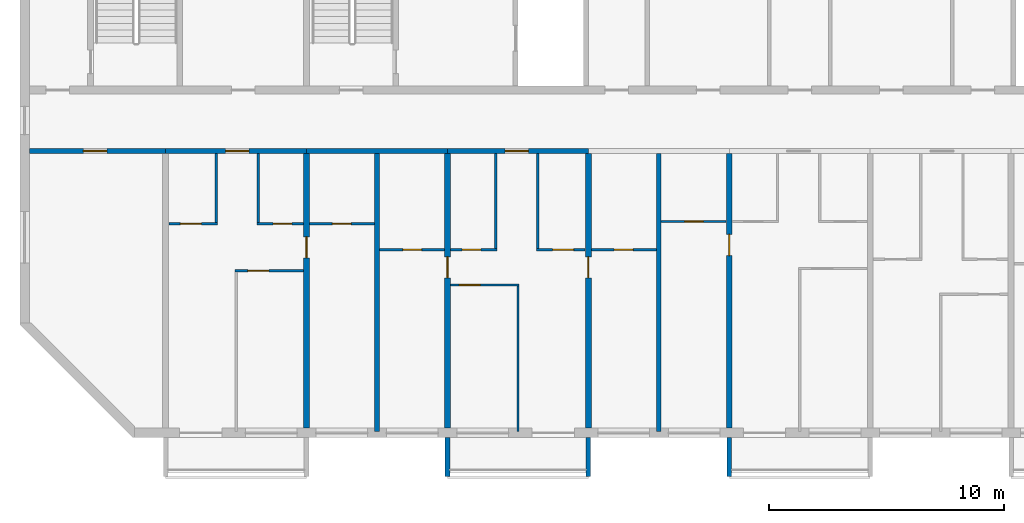
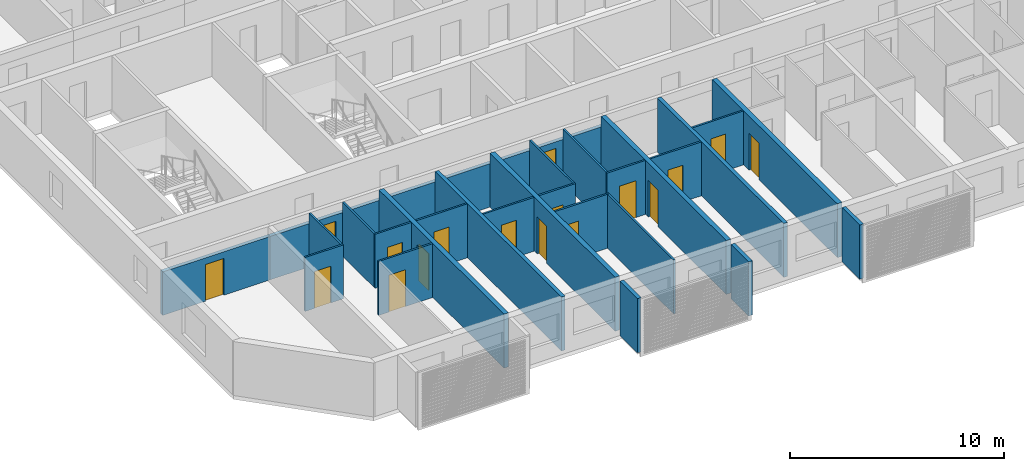
# One storey, part 2 of 29: 28 walls, 17 doors, 17 openings.
"""IFC4 building model written with IfcOpenShell, lengths in metres."""

from ifc_helpers import new_model, si_unit, direction, frame, frame_2d, origin, place, context, subcontext, project, spatial, polyline, rectangle, outline, extrude, source, transform, mapped, material, layer, layer_set, type_object, element, fill, save


model = new_model("IFC4")

# Units and contexts
model_context = context("Model", 3, precision=1e-05, world=origin(), true_north=direction((0.0, 1.0)))
body_context = subcontext(model_context, "Body", "Model", "MODEL_VIEW")
ifc_project = project(units=[si_unit("LENGTHUNIT", "METRE"), si_unit("AREAUNIT", "SQUARE_METRE"), si_unit("VOLUMEUNIT", "CUBIC_METRE"), si_unit("PLANEANGLEUNIT", "RADIAN"), si_unit("MASSUNIT", "GRAM", prefix="KILO")], contexts=[model_context])

# Site, building, storey
site_placement = place(None, origin())
site = spatial("IfcSite", under=ifc_project, at=site_placement, CompositionType="ELEMENT")
building_placement = place(site_placement, origin())
building = spatial("IfcBuilding", under=site, at=building_placement, Name="Poui Terraces", CompositionType="ELEMENT")
storey_placement = place(building_placement, frame((0.0, 0.0, 234.60009765625)))
storey = spatial("IfcBuildingStorey", under=building, at=storey_placement, Name="L65", CompositionType="ELEMENT", Elevation=234.60009765625)

# Wall, opening, door
ifc_material_1 = material(Name="Concrete 50 MPa", Category="concrete")
ifc_layer_1 = layer(ifc_material_1, 0.199951171875)
ifc_layer_set_1 = layer_set([ifc_layer_1], Name="Concrete 50 MPa")
wall_type_1 = type_object("IfcWallType", Name="CORRIDOR WALL 200 50MPa", PredefinedType="SHEAR", material=ifc_layer_set_1)
wall_1_placement = place(storey_placement, frame((18.199951171875, 12.0, 0.0), z_axis=(0.0, 0.0, 1.0), x_axis=(1.0, 0.0, 0.0)))
wall_1 = element("IfcWall", 1, at=wall_1_placement, inside=storey, type_object=wall_type_1, Name="CORRIDOR WALL LINE B BAY 1", PredefinedType="SHEAR", context=body_context, shape_type="SweptSolid", body=[
    extrude(rectangle(XDim=5.800048828125, YDim=0.199951171875, at=frame_2d((2.89990234375, 0.0))), origin(), (0.0, 0.0, 1.0), 2.47998046875),
])
opening_1_placement = place(wall_1_placement, frame((2.300048828125, 0.0, 0.0)))
opening_1 = element("IfcOpeningElement", 2, at=opening_1_placement, cuts=wall_1, Name="Opening D100", PredefinedType="OPENING", context=body_context, shape_type="SweptSolid", body=[
    extrude(rectangle(XDim=1.0, YDim=2.10009765625, at=frame_2d((0.5, 1.050048828125))), frame((0.0, 0.10986328125, 0.0), z_axis=(0.0, -1.0, 0.0), x_axis=(1.0, 0.0, 0.0)), (0.0, 0.0, 1.0), 0.219970703125),
])
ifc_material_2 = material(Name="Solid core timber door", Category="wood")
door_type_1 = type_object("IfcDoorType", Name="ACCESSIBLE INTERNAL DOOR 1000 X 2100", OperationType="NOTDEFINED", PredefinedType="DOOR", material=ifc_material_2)
door_1_placement = place(opening_1_placement, frame((1.0, 0.0, 0.0), z_axis=(0.0, 0.0, 1.0), x_axis=(-1.0, 0.0, 0.0)))
door_1 = element("IfcDoor", 3, at=door_1_placement, inside=storey, type_object=door_type_1, Name="ACCESSIBLE INTERNAL DOOR 063", OperationType="SINGLE_SWING_RIGHT", OverallHeight=2.10009765625, OverallWidth=1.0, PredefinedType="DOOR", context=body_context, shape_type="SweptSolid", body=[
    extrude(rectangle(XDim=1.0, YDim=2.10009765625, at=frame_2d((0.5, 1.050048828125))), frame((0.0, 0.02490234375, 0.0), z_axis=(0.0, -1.0, 0.0), x_axis=(1.0, 0.0, 0.0)), (0.0, 0.0, 1.0), 0.050048828125),
])
fill(opening_1, door_1)

wall_2_placement = place(storey_placement, frame((24.0, 12.0, 0.0), z_axis=(0.0, 0.0, 1.0), x_axis=(1.0, 0.0, 0.0)))
wall_2 = element("IfcWall", 4, at=wall_2_placement, inside=storey, type_object=wall_type_1, Name="CORRIDOR WALL LINE B BAY 2", PredefinedType="SHEAR", context=body_context, shape_type="SweptSolid", body=[
    extrude(rectangle(XDim=6.0, YDim=0.199951171875, at=frame_2d((3.0, 0.0))), origin(), (0.0, 0.0, 1.0), 2.47998046875),
])
opening_2_placement = place(wall_2_placement, frame((2.550048828125, 0.0, 0.0)))
opening_2 = element("IfcOpeningElement", 5, at=opening_2_placement, cuts=wall_2, Name="Opening FD30S", PredefinedType="OPENING", context=body_context, shape_type="SweptSolid", body=[
    extrude(rectangle(XDim=1.0, YDim=2.10009765625, at=frame_2d((0.5, 1.050048828125))), frame((0.0, 0.10986328125, 0.0), z_axis=(0.0, -1.0, 0.0), x_axis=(1.0, 0.0, 0.0)), (0.0, 0.0, 1.0), 0.219970703125),
])
ifc_material_3 = material(Name="Steel fire door", Category="steel")
door_type_2 = type_object("IfcDoorType", Name="FLAT ENTRANCE DOOR 1000 X 2100", OperationType="NOTDEFINED", PredefinedType="DOOR", material=ifc_material_3)
door_2_placement = place(opening_2_placement, frame((1.0, 0.0, 0.0), z_axis=(0.0, 0.0, 1.0), x_axis=(-1.0, 0.0, 0.0)))
door_2 = element("IfcDoor", 6, at=door_2_placement, inside=storey, type_object=door_type_2, Name="FLAT ENTRANCE DOOR 066", OperationType="SINGLE_SWING_LEFT", OverallHeight=2.10009765625, OverallWidth=1.0, PredefinedType="DOOR", context=body_context, shape_type="SweptSolid", body=[
    extrude(rectangle(XDim=1.0, YDim=2.10009765625, at=frame_2d((0.5, 1.050048828125))), frame((0.0, 0.02490234375, 0.0), z_axis=(0.0, -1.0, 0.0), x_axis=(1.0, 0.0, 0.0)), (0.0, 0.0, 1.0), 0.050048828125),
])
fill(opening_2, door_2)

# Wall
wall_3_placement = place(storey_placement, frame((30.0, 12.0, 0.0), z_axis=(0.0, 0.0, 1.0), x_axis=(1.0, 0.0, 0.0)))
element("IfcWall", 7, at=wall_3_placement, inside=storey, type_object=wall_type_1, Name="CORRIDOR WALL LINE B BAY 3", PredefinedType="SHEAR", context=body_context, shape_type="SweptSolid", body=[
    extrude(rectangle(XDim=6.0, YDim=0.199951171875, at=frame_2d((3.0, 0.0))), origin(), (0.0, 0.0, 1.0), 2.47998046875),
])

# Wall, opening, door
wall_4_placement = place(storey_placement, frame((36.0, 12.0, 0.0), z_axis=(0.0, 0.0, 1.0), x_axis=(1.0, 0.0, 0.0)))
wall_4 = element("IfcWall", 8, at=wall_4_placement, inside=storey, type_object=wall_type_1, Name="CORRIDOR WALL LINE B BAY 4", PredefinedType="SHEAR", context=body_context, shape_type="SweptSolid", body=[
    extrude(rectangle(XDim=6.0, YDim=0.199951171875, at=frame_2d((3.0, 0.0))), origin(), (0.0, 0.0, 1.0), 2.47998046875),
])
opening_3_placement = place(wall_4_placement, frame((2.449951171875, 0.0, 0.0)))
opening_3 = element("IfcOpeningElement", 9, at=opening_3_placement, cuts=wall_4, Name="Opening FD30S", PredefinedType="OPENING", context=body_context, shape_type="SweptSolid", body=[
    extrude(rectangle(XDim=1.0, YDim=2.10009765625, at=frame_2d((0.5, 1.050048828125))), frame((0.0, 0.10986328125, 0.0), z_axis=(0.0, -1.0, 0.0), x_axis=(1.0, 0.0, 0.0)), (0.0, 0.0, 1.0), 0.219970703125),
])
door_3_placement = place(opening_3_placement, frame((1.0, 0.0, 0.0), z_axis=(0.0, 0.0, 1.0), x_axis=(-1.0, 0.0, 0.0)))
door_3 = element("IfcDoor", 10, at=door_3_placement, inside=storey, type_object=door_type_2, Name="FLAT ENTRANCE DOOR 075", OperationType="SINGLE_SWING_RIGHT", OverallHeight=2.10009765625, OverallWidth=1.0, PredefinedType="DOOR", context=body_context, shape_type="SweptSolid", body=[
    extrude(rectangle(XDim=1.0, YDim=2.10009765625, at=frame_2d((0.5, 1.050048828125))), frame((0.0, 0.02490234375, 0.0), z_axis=(0.0, -1.0, 0.0), x_axis=(1.0, 0.0, 0.0)), (0.0, 0.0, 1.0), 0.050048828125),
])
fill(opening_3, door_3)

ifc_layer_2 = layer(ifc_material_1, 0.25)
ifc_layer_set_2 = layer_set([ifc_layer_2], Name="Concrete 50 MPa")
wall_type_2 = type_object("IfcWallType", Name="CROSS WALL 250 50MPa", PredefinedType="SHEAR", material=ifc_layer_set_2)
wall_5_placement = place(storey_placement, frame((30.0, 0.199951171875, 0.0), z_axis=(0.0, 0.0, 1.0), x_axis=(0.0, 1.0, 0.0)))
wall_5 = element("IfcWall", 11, at=wall_5_placement, inside=storey, type_object=wall_type_2, Name="CROSS WALL LINE 6 SOUTH", PredefinedType="SHEAR", context=body_context, shape_type="SweptSolid", body=[
    extrude(rectangle(XDim=11.699951171875, YDim=0.25, at=frame_2d((5.85009765625, 0.0))), origin(), (0.0, 0.0, 1.0), 3.079833984375),
])
opening_4_placement = place(wall_5_placement, frame((7.25, 0.0, 0.0)))
opening_4 = element("IfcOpeningElement", 12, at=opening_4_placement, cuts=wall_5, Name="Opening D90", PredefinedType="OPENING", context=body_context, shape_type="SweptSolid", body=[
    extrude(rectangle(XDim=0.89990234375, YDim=2.10009765625, at=frame_2d((0.449951171875, 1.050048828125))), frame((0.0, 0.135009765625, 0.0), z_axis=(0.0, -1.0, 0.0), x_axis=(1.0, 0.0, 0.0)), (0.0, 0.0, 1.0), 0.27001953125),
])
door_type_3 = type_object("IfcDoorType", Name="INTERNAL DOOR 900 X 2100", OperationType="NOTDEFINED", PredefinedType="DOOR", material=ifc_material_2)
door_4_placement = place(opening_4_placement, frame((0.89990234375, 0.0, 0.0), z_axis=(0.0, 0.0, 1.0), x_axis=(-1.0, 0.0, 0.0)))
door_4 = element("IfcDoor", 13, at=door_4_placement, inside=storey, type_object=door_type_3, Name="INTERNAL DOOR 069", OperationType="SINGLE_SWING_LEFT", OverallHeight=2.10009765625, OverallWidth=0.89990234375, PredefinedType="DOOR", context=body_context, shape_type="SweptSolid", body=[
    extrude(rectangle(XDim=0.89990234375, YDim=2.10009765625, at=frame_2d((0.449951171875, 1.050048828125))), frame((0.0, 0.02490234375, 0.0), z_axis=(0.0, -1.0, 0.0), x_axis=(1.0, 0.0, 0.0)), (0.0, 0.0, 1.0), 0.050048828125),
])
fill(opening_4, door_4)

wall_6_placement = place(storey_placement, frame((36.0, 0.199951171875, 0.0), z_axis=(0.0, 0.0, 1.0), x_axis=(0.0, 1.0, 0.0)))
wall_6 = element("IfcWall", 14, at=wall_6_placement, inside=storey, type_object=wall_type_2, Name="CROSS WALL LINE 7 SOUTH", PredefinedType="SHEAR", context=body_context, shape_type="SweptSolid", body=[
    extrude(rectangle(XDim=11.699951171875, YDim=0.25, at=frame_2d((5.85009765625, 0.0))), origin(), (0.0, 0.0, 1.0), 3.079833984375),
])
opening_5_placement = place(wall_6_placement, frame((6.39990234375, 0.0, 0.0)))
opening_5 = element("IfcOpeningElement", 15, at=opening_5_placement, cuts=wall_6, Name="Opening D90", PredefinedType="OPENING", context=body_context, shape_type="SweptSolid", body=[
    extrude(rectangle(XDim=0.89990234375, YDim=2.10009765625, at=frame_2d((0.449951171875, 1.050048828125))), frame((0.0, 0.135009765625, 0.0), z_axis=(0.0, -1.0, 0.0), x_axis=(1.0, 0.0, 0.0)), (0.0, 0.0, 1.0), 0.27001953125),
])
door_5_placement = place(opening_5_placement, origin())
door_5 = element("IfcDoor", 16, at=door_5_placement, inside=storey, type_object=door_type_3, Name="INTERNAL DOOR 072", OperationType="SINGLE_SWING_RIGHT", OverallHeight=2.10009765625, OverallWidth=0.89990234375, PredefinedType="DOOR", context=body_context, shape_type="SweptSolid", body=[
    extrude(rectangle(XDim=0.89990234375, YDim=2.10009765625, at=frame_2d((0.449951171875, 1.050048828125))), frame((0.0, 0.02490234375, 0.0), z_axis=(0.0, -1.0, 0.0), x_axis=(1.0, 0.0, 0.0)), (0.0, 0.0, 1.0), 0.050048828125),
])
fill(opening_5, door_5)

wall_7_placement = place(storey_placement, frame((42.0, 0.199951171875, 0.0), z_axis=(0.0, 0.0, 1.0), x_axis=(0.0, 1.0, 0.0)))
wall_7 = element("IfcWall", 17, at=wall_7_placement, inside=storey, type_object=wall_type_2, Name="CROSS WALL LINE 8 SOUTH", PredefinedType="SHEAR", context=body_context, shape_type="SweptSolid", body=[
    extrude(rectangle(XDim=11.699951171875, YDim=0.25, at=frame_2d((5.85009765625, 0.0))), origin(), (0.0, 0.0, 1.0), 3.079833984375),
])
opening_6_placement = place(wall_7_placement, frame((6.39990234375, 0.0, 0.0)))
opening_6 = element("IfcOpeningElement", 18, at=opening_6_placement, cuts=wall_7, Name="Opening D90", PredefinedType="OPENING", context=body_context, shape_type="SweptSolid", body=[
    extrude(rectangle(XDim=0.89990234375, YDim=2.10009765625, at=frame_2d((0.449951171875, 1.050048828125))), frame((0.0, 0.135009765625, 0.0), z_axis=(0.0, -1.0, 0.0), x_axis=(1.0, 0.0, 0.0)), (0.0, 0.0, 1.0), 0.27001953125),
])
door_6_placement = place(opening_6_placement, frame((0.89990234375, 0.0, 0.0), z_axis=(0.0, 0.0, 1.0), x_axis=(-1.0, 0.0, 0.0)))
door_6 = element("IfcDoor", 19, at=door_6_placement, inside=storey, type_object=door_type_3, Name="INTERNAL DOOR 077", OperationType="SINGLE_SWING_LEFT", OverallHeight=2.10009765625, OverallWidth=0.89990234375, PredefinedType="DOOR", context=body_context, shape_type="SweptSolid", body=[
    extrude(rectangle(XDim=0.89990234375, YDim=2.10009765625, at=frame_2d((0.449951171875, 1.050048828125))), frame((0.0, 0.02490234375, 0.0), z_axis=(0.0, -1.0, 0.0), x_axis=(1.0, 0.0, 0.0)), (0.0, 0.0, 1.0), 0.050048828125),
])
fill(opening_6, door_6)

wall_8_placement = place(storey_placement, frame((48.0, 0.199951171875, 0.0), z_axis=(0.0, 0.0, 1.0), x_axis=(0.0, 1.0, 0.0)))
wall_8 = element("IfcWall", 20, at=wall_8_placement, inside=storey, type_object=wall_type_2, Name="CROSS WALL LINE 9 SOUTH", PredefinedType="SHEAR", context=body_context, shape_type="SweptSolid", body=[
    extrude(rectangle(XDim=11.699951171875, YDim=0.25, at=frame_2d((5.85009765625, 0.0))), origin(), (0.0, 0.0, 1.0), 3.079833984375),
])
opening_7_placement = place(wall_8_placement, frame((7.35009765625, 0.0, 0.0)))
opening_7 = element("IfcOpeningElement", 21, at=opening_7_placement, cuts=wall_8, Name="Opening D90", PredefinedType="OPENING", context=body_context, shape_type="SweptSolid", body=[
    extrude(rectangle(XDim=0.89990234375, YDim=2.10009765625, at=frame_2d((0.449951171875, 1.050048828125))), frame((0.0, 0.135009765625, 0.0), z_axis=(0.0, -1.0, 0.0), x_axis=(1.0, 0.0, 0.0)), (0.0, 0.0, 1.0), 0.27001953125),
])
door_7_placement = place(opening_7_placement, origin())
door_7 = element("IfcDoor", 22, at=door_7_placement, inside=storey, type_object=door_type_3, Name="INTERNAL DOOR 079", OperationType="SINGLE_SWING_RIGHT", OverallHeight=2.10009765625, OverallWidth=0.89990234375, PredefinedType="DOOR", context=body_context, shape_type="SweptSolid", body=[
    extrude(rectangle(XDim=0.89990234375, YDim=2.10009765625, at=frame_2d((0.449951171875, 1.050048828125))), frame((0.0, 0.02490234375, 0.0), z_axis=(0.0, -1.0, 0.0), x_axis=(1.0, 0.0, 0.0)), (0.0, 0.0, 1.0), 0.050048828125),
])
fill(opening_7, door_7)

ifc_material_4 = material(Name="Plasterboard partition")
ifc_layer_3 = layer(ifc_material_4, 0.10009765625)
ifc_layer_set_3 = layer_set([ifc_layer_3], Name="Plasterboard partition")
wall_type_3 = type_object("IfcWallType", Name="FLAT PARTITION 100", PredefinedType="PARTITIONING", material=ifc_layer_set_3)
wall_9_placement = place(storey_placement, frame((36.135009765625, 6.300048828125, 0.0), z_axis=(0.0, 0.0, 1.0), x_axis=(1.0, 0.0, 0.0)))
wall_9 = element("IfcWall", 23, at=wall_9_placement, inside=storey, type_object=wall_type_3, Name="FLAT PARTITION 100", PredefinedType="PARTITIONING", context=body_context, shape_type="SweptSolid", body=[
    extrude(rectangle(XDim=2.9150390625, YDim=0.10009765625, at=frame_2d((1.45751953125, 0.0))), origin(), (0.0, 0.0, 1.0), 3.079833984375),
])
opening_8_placement = place(wall_9_placement, frame((0.364990234375, 0.0, 0.0)))
opening_8 = element("IfcOpeningElement", 24, at=opening_8_placement, cuts=wall_9, Name="Opening D90", PredefinedType="OPENING", context=body_context, shape_type="SweptSolid", body=[
    extrude(rectangle(XDim=0.89990234375, YDim=2.10009765625, at=frame_2d((0.449951171875, 1.050048828125))), frame((0.0, 0.06005859375, 0.0), z_axis=(0.0, -1.0, 0.0), x_axis=(1.0, 0.0, 0.0)), (0.0, 0.0, 1.0), 0.1201171875),
])
door_8_placement = place(opening_8_placement, origin())
door_8 = element("IfcDoor", 25, at=door_8_placement, inside=storey, type_object=door_type_3, Name="INTERNAL DOOR 073", OperationType="SINGLE_SWING_RIGHT", OverallHeight=2.10009765625, OverallWidth=0.89990234375, PredefinedType="DOOR", context=body_context, shape_type="SweptSolid", body=[
    extrude(rectangle(XDim=0.89990234375, YDim=2.10009765625, at=frame_2d((0.449951171875, 1.050048828125))), frame((0.0, 0.02490234375, 0.0), z_axis=(0.0, -1.0, 0.0), x_axis=(1.0, 0.0, 0.0)), (0.0, 0.0, 1.0), 0.050048828125),
])
fill(opening_8, door_8)

wall_10_placement = place(storey_placement, frame((26.949951171875, 6.89990234375, 0.0), z_axis=(0.0, 0.0, 1.0), x_axis=(1.0, 0.0, 0.0)))
wall_10 = element("IfcWall", 26, at=wall_10_placement, inside=storey, type_object=wall_type_3, Name="FLAT PARTITION 100", PredefinedType="PARTITIONING", context=body_context, shape_type="SweptSolid", body=[
    extrude(rectangle(XDim=2.9150390625, YDim=0.10009765625, at=frame_2d((1.45751953125, 0.0))), origin(), (0.0, 0.0, 1.0), 3.079833984375),
])
opening_9_placement = place(wall_10_placement, frame((0.550048828125, 0.0, 0.0)))
opening_9 = element("IfcOpeningElement", 27, at=opening_9_placement, cuts=wall_10, Name="Opening D90", PredefinedType="OPENING", context=body_context, shape_type="SweptSolid", body=[
    extrude(rectangle(XDim=0.89990234375, YDim=2.10009765625, at=frame_2d((0.449951171875, 1.050048828125))), frame((0.0, 0.06005859375, 0.0), z_axis=(0.0, -1.0, 0.0), x_axis=(1.0, 0.0, 0.0)), (0.0, 0.0, 1.0), 0.1201171875),
])
door_9_placement = place(opening_9_placement, origin())
door_9 = element("IfcDoor", 28, at=door_9_placement, inside=storey, type_object=door_type_3, Name="INTERNAL DOOR 067", OperationType="SINGLE_SWING_RIGHT", OverallHeight=2.10009765625, OverallWidth=0.89990234375, PredefinedType="DOOR", context=body_context, shape_type="SweptSolid", body=[
    extrude(rectangle(XDim=0.89990234375, YDim=2.10009765625, at=frame_2d((0.449951171875, 1.050048828125))), frame((0.0, 0.02490234375, 0.0), z_axis=(0.0, -1.0, 0.0), x_axis=(1.0, 0.0, 0.0)), (0.0, 0.0, 1.0), 0.050048828125),
])
fill(opening_9, door_9)

wall_11_placement = place(storey_placement, frame((33.10009765625, 7.800048828125, 0.0), z_axis=(0.0, 0.0, 1.0), x_axis=(1.0, 0.0, 0.0)))
wall_11 = element("IfcWall", 29, at=wall_11_placement, inside=storey, type_object=wall_type_3, Name="FLAT PARTITION 100", PredefinedType="PARTITIONING", context=body_context, shape_type="SweptSolid", body=[
    extrude(rectangle(XDim=2.764892578125, YDim=0.10009765625, at=frame_2d((1.38232421875, 0.0))), origin(), (0.0, 0.0, 1.0), 3.079833984375),
])
opening_10_placement = place(wall_11_placement, frame((1.0, 0.0, 0.0)))
opening_10 = element("IfcOpeningElement", 30, at=opening_10_placement, cuts=wall_11, Name="Opening D80", PredefinedType="OPENING", context=body_context, shape_type="SweptSolid", body=[
    extrude(rectangle(XDim=0.800048828125, YDim=2.10009765625, at=frame_2d((0.39990234375, 1.050048828125))), frame((0.0, 0.06005859375, 0.0), z_axis=(0.0, -1.0, 0.0), x_axis=(1.0, 0.0, 0.0)), (0.0, 0.0, 1.0), 0.1201171875),
])
door_type_4 = type_object("IfcDoorType", Name="BATHROOM, LAUNDRY AND STORE DOOR 800 X 2100", OperationType="NOTDEFINED", PredefinedType="DOOR", material=ifc_material_2)
door_10_placement = place(opening_10_placement, origin())
door_10 = element("IfcDoor", 31, at=door_10_placement, inside=storey, type_object=door_type_4, Name="BATHROOM, LAUNDRY AND STORE DOOR 070", OperationType="SINGLE_SWING_LEFT", OverallHeight=2.10009765625, OverallWidth=0.800048828125, PredefinedType="DOOR", context=body_context, shape_type="SweptSolid", body=[
    extrude(rectangle(XDim=0.800048828125, YDim=2.10009765625, at=frame_2d((0.39990234375, 1.050048828125))), frame((0.0, 0.02490234375, 0.0), z_axis=(0.0, -1.0, 0.0), x_axis=(1.0, 0.0, 0.0)), (0.0, 0.0, 1.0), 0.050048828125),
])
fill(opening_10, door_10)

wall_12_placement = place(storey_placement, frame((36.135009765625, 7.800048828125, 0.0), z_axis=(0.0, 0.0, 1.0), x_axis=(1.0, 0.0, 0.0)))
wall_12 = element("IfcWall", 32, at=wall_12_placement, inside=storey, type_object=wall_type_3, Name="FLAT PARTITION 100", PredefinedType="PARTITIONING", context=body_context, shape_type="SweptSolid", body=[
    extrude(rectangle(XDim=1.965087890625, YDim=0.10009765625, at=frame_2d((0.982421875, 0.0))), origin(), (0.0, 0.0, 1.0), 3.079833984375),
])
opening_11_placement = place(wall_12_placement, frame((0.489990234375, 0.0, 0.0)))
opening_11 = element("IfcOpeningElement", 33, at=opening_11_placement, cuts=wall_12, Name="Opening D80", PredefinedType="OPENING", context=body_context, shape_type="SweptSolid", body=[
    extrude(rectangle(XDim=0.800048828125, YDim=2.10009765625, at=frame_2d((0.39990234375, 1.050048828125))), frame((0.0, 0.06005859375, 0.0), z_axis=(0.0, -1.0, 0.0), x_axis=(1.0, 0.0, 0.0)), (0.0, 0.0, 1.0), 0.1201171875),
])
door_11_placement = place(opening_11_placement, origin())
door_11 = element("IfcDoor", 34, at=door_11_placement, inside=storey, type_object=door_type_4, Name="BATHROOM, LAUNDRY AND STORE DOOR 074", OperationType="SINGLE_SWING_LEFT", OverallHeight=2.10009765625, OverallWidth=0.800048828125, PredefinedType="DOOR", context=body_context, shape_type="SweptSolid", body=[
    extrude(rectangle(XDim=0.800048828125, YDim=2.10009765625, at=frame_2d((0.39990234375, 1.050048828125))), frame((0.0, 0.02490234375, 0.0), z_axis=(0.0, -1.0, 0.0), x_axis=(1.0, 0.0, 0.0)), (0.0, 0.0, 1.0), 0.050048828125),
])
fill(opening_11, door_11)

wall_13_placement = place(storey_placement, frame((39.800048828125, 7.800048828125, 0.0), z_axis=(0.0, 0.0, 1.0), x_axis=(1.0, 0.0, 0.0)))
wall_13 = element("IfcWall", 35, at=wall_13_placement, inside=storey, type_object=wall_type_3, Name="FLAT PARTITION 100", PredefinedType="PARTITIONING", context=body_context, shape_type="SweptSolid", body=[
    extrude(rectangle(XDim=2.06494140625, YDim=0.10009765625, at=frame_2d((1.032470703125, 0.0))), origin(), (0.0, 0.0, 1.0), 3.079833984375),
])
opening_12_placement = place(wall_13_placement, frame((0.675048828125, 0.0, 0.0)))
opening_12 = element("IfcOpeningElement", 36, at=opening_12_placement, cuts=wall_13, Name="Opening D90", PredefinedType="OPENING", context=body_context, shape_type="SweptSolid", body=[
    extrude(rectangle(XDim=0.89990234375, YDim=2.10009765625, at=frame_2d((0.449951171875, 1.050048828125))), frame((0.0, 0.06005859375, 0.0), z_axis=(0.0, -1.0, 0.0), x_axis=(1.0, 0.0, 0.0)), (0.0, 0.0, 1.0), 0.1201171875),
])
door_12_placement = place(opening_12_placement, origin())
door_12 = element("IfcDoor", 37, at=door_12_placement, inside=storey, type_object=door_type_3, Name="INTERNAL DOOR 076", OperationType="SINGLE_SWING_RIGHT", OverallHeight=2.10009765625, OverallWidth=0.89990234375, PredefinedType="DOOR", context=body_context, shape_type="SweptSolid", body=[
    extrude(rectangle(XDim=0.89990234375, YDim=2.10009765625, at=frame_2d((0.449951171875, 1.050048828125))), frame((0.0, 0.02490234375, 0.0), z_axis=(0.0, -1.0, 0.0), x_axis=(1.0, 0.0, 0.0)), (0.0, 0.0, 1.0), 0.050048828125),
])
fill(opening_12, door_12)

wall_14_placement = place(storey_placement, frame((42.135009765625, 7.800048828125, 0.0), z_axis=(0.0, 0.0, 1.0), x_axis=(1.0, 0.0, 0.0)))
wall_14 = element("IfcWall", 38, at=wall_14_placement, inside=storey, type_object=wall_type_3, Name="FLAT PARTITION 100", PredefinedType="PARTITIONING", context=body_context, shape_type="SweptSolid", body=[
    extrude(rectangle(XDim=2.764892578125, YDim=0.10009765625, at=frame_2d((1.38232421875, 0.0))), origin(), (0.0, 0.0, 1.0), 3.079833984375),
])
opening_13_placement = place(wall_14_placement, frame((0.965087890625, 0.0, 0.0)))
opening_13 = element("IfcOpeningElement", 39, at=opening_13_placement, cuts=wall_14, Name="Opening D80", PredefinedType="OPENING", context=body_context, shape_type="SweptSolid", body=[
    extrude(rectangle(XDim=0.800048828125, YDim=2.10009765625, at=frame_2d((0.39990234375, 1.050048828125))), frame((0.0, 0.06005859375, 0.0), z_axis=(0.0, -1.0, 0.0), x_axis=(1.0, 0.0, 0.0)), (0.0, 0.0, 1.0), 0.1201171875),
])
door_13_placement = place(opening_13_placement, origin())
door_13 = element("IfcDoor", 40, at=door_13_placement, inside=storey, type_object=door_type_4, Name="BATHROOM, LAUNDRY AND STORE DOOR 071", OperationType="SINGLE_SWING_LEFT", OverallHeight=2.10009765625, OverallWidth=0.800048828125, PredefinedType="DOOR", context=body_context, shape_type="SweptSolid", body=[
    extrude(rectangle(XDim=0.800048828125, YDim=2.10009765625, at=frame_2d((0.39990234375, 1.050048828125))), frame((0.0, 0.02490234375, 0.0), z_axis=(0.0, -1.0, 0.0), x_axis=(1.0, 0.0, 0.0)), (0.0, 0.0, 1.0), 0.050048828125),
])
fill(opening_13, door_13)

wall_15_placement = place(storey_placement, frame((24.135009765625, 8.89990234375, 0.0), z_axis=(0.0, 0.0, 1.0), x_axis=(1.0, 0.0, 0.0)))
wall_15 = element("IfcWall", 41, at=wall_15_placement, inside=storey, type_object=wall_type_3, Name="FLAT PARTITION 100", PredefinedType="PARTITIONING", context=body_context, shape_type="SweptSolid", body=[
    extrude(rectangle(XDim=2.06494140625, YDim=0.10009765625, at=frame_2d((1.032470703125, 0.0))), origin(), (0.0, 0.0, 1.0), 3.079833984375),
])
opening_14_placement = place(wall_15_placement, frame((0.489990234375, 0.0, 0.0)))
opening_14 = element("IfcOpeningElement", 42, at=opening_14_placement, cuts=wall_15, Name="Opening D90", PredefinedType="OPENING", context=body_context, shape_type="SweptSolid", body=[
    extrude(rectangle(XDim=0.89990234375, YDim=2.10009765625, at=frame_2d((0.449951171875, 1.050048828125))), frame((0.0, 0.06005859375, 0.0), z_axis=(0.0, -1.0, 0.0), x_axis=(1.0, 0.0, 0.0)), (0.0, 0.0, 1.0), 0.1201171875),
])
door_14_placement = place(opening_14_placement, origin())
door_14 = element("IfcDoor", 43, at=door_14_placement, inside=storey, type_object=door_type_3, Name="INTERNAL DOOR 065", OperationType="SINGLE_SWING_RIGHT", OverallHeight=2.10009765625, OverallWidth=0.89990234375, PredefinedType="DOOR", context=body_context, shape_type="SweptSolid", body=[
    extrude(rectangle(XDim=0.89990234375, YDim=2.10009765625, at=frame_2d((0.449951171875, 1.050048828125))), frame((0.0, 0.02490234375, 0.0), z_axis=(0.0, -1.0, 0.0), x_axis=(1.0, 0.0, 0.0)), (0.0, 0.0, 1.0), 0.050048828125),
])
fill(opening_14, door_14)

wall_16_placement = place(storey_placement, frame((27.89990234375, 8.89990234375, 0.0), z_axis=(0.0, 0.0, 1.0), x_axis=(1.0, 0.0, 0.0)))
wall_16 = element("IfcWall", 44, at=wall_16_placement, inside=storey, type_object=wall_type_3, Name="FLAT PARTITION 100", PredefinedType="PARTITIONING", context=body_context, shape_type="SweptSolid", body=[
    extrude(rectangle(XDim=1.965087890625, YDim=0.10009765625, at=frame_2d((0.982421875, 0.0))), origin(), (0.0, 0.0, 1.0), 3.079833984375),
])
opening_15_placement = place(wall_16_placement, frame((0.675048828125, 0.0, 0.0)))
opening_15 = element("IfcOpeningElement", 45, at=opening_15_placement, cuts=wall_16, Name="Opening D80", PredefinedType="OPENING", context=body_context, shape_type="SweptSolid", body=[
    extrude(rectangle(XDim=0.800048828125, YDim=2.10009765625, at=frame_2d((0.39990234375, 1.050048828125))), frame((0.0, 0.06005859375, 0.0), z_axis=(0.0, -1.0, 0.0), x_axis=(1.0, 0.0, 0.0)), (0.0, 0.0, 1.0), 0.1201171875),
])
door_15_placement = place(opening_15_placement, origin())
door_15 = element("IfcDoor", 46, at=door_15_placement, inside=storey, type_object=door_type_4, Name="BATHROOM, LAUNDRY AND STORE DOOR 068", OperationType="SINGLE_SWING_LEFT", OverallHeight=2.10009765625, OverallWidth=0.800048828125, PredefinedType="DOOR", context=body_context, shape_type="SweptSolid", body=[
    extrude(rectangle(XDim=0.800048828125, YDim=2.10009765625, at=frame_2d((0.39990234375, 1.050048828125))), frame((0.0, 0.02490234375, 0.0), z_axis=(0.0, -1.0, 0.0), x_axis=(1.0, 0.0, 0.0)), (0.0, 0.0, 1.0), 0.050048828125),
])
fill(opening_15, door_15)

wall_17_placement = place(storey_placement, frame((30.135009765625, 8.89990234375, 0.0), z_axis=(0.0, 0.0, 1.0), x_axis=(1.0, 0.0, 0.0)))
wall_17 = element("IfcWall", 47, at=wall_17_placement, inside=storey, type_object=wall_type_3, Name="FLAT PARTITION 100", PredefinedType="PARTITIONING", context=body_context, shape_type="SweptSolid", body=[
    extrude(rectangle(XDim=2.764892578125, YDim=0.10009765625, at=frame_2d((1.38232421875, 0.0))), origin(), (0.0, 0.0, 1.0), 3.079833984375),
])
opening_16_placement = place(wall_17_placement, frame((0.965087890625, 0.0, 0.0)))
opening_16 = element("IfcOpeningElement", 48, at=opening_16_placement, cuts=wall_17, Name="Opening D80", PredefinedType="OPENING", context=body_context, shape_type="SweptSolid", body=[
    extrude(rectangle(XDim=0.800048828125, YDim=2.10009765625, at=frame_2d((0.39990234375, 1.050048828125))), frame((0.0, 0.06005859375, 0.0), z_axis=(0.0, -1.0, 0.0), x_axis=(1.0, 0.0, 0.0)), (0.0, 0.0, 1.0), 0.1201171875),
])
door_16_placement = place(opening_16_placement, origin())
door_16 = element("IfcDoor", 49, at=door_16_placement, inside=storey, type_object=door_type_4, Name="BATHROOM, LAUNDRY AND STORE DOOR 064", OperationType="SINGLE_SWING_RIGHT", OverallHeight=2.10009765625, OverallWidth=0.800048828125, PredefinedType="DOOR", context=body_context, shape_type="SweptSolid", body=[
    extrude(rectangle(XDim=0.800048828125, YDim=2.10009765625, at=frame_2d((0.39990234375, 1.050048828125))), frame((0.0, 0.02490234375, 0.0), z_axis=(0.0, -1.0, 0.0), x_axis=(1.0, 0.0, 0.0)), (0.0, 0.0, 1.0), 0.050048828125),
])
fill(opening_16, door_16)

wall_18_placement = place(storey_placement, frame((45.10009765625, 9.0, 0.0), z_axis=(0.0, 0.0, 1.0), x_axis=(1.0, 0.0, 0.0)))
wall_18 = element("IfcWall", 50, at=wall_18_placement, inside=storey, type_object=wall_type_3, Name="FLAT PARTITION 100", PredefinedType="PARTITIONING", context=body_context, shape_type="SweptSolid", body=[
    extrude(rectangle(XDim=2.764892578125, YDim=0.10009765625, at=frame_2d((1.38232421875, 0.0))), origin(), (0.0, 0.0, 1.0), 3.079833984375),
])
opening_17_placement = place(wall_18_placement, frame((1.0, 0.0, 0.0)))
opening_17 = element("IfcOpeningElement", 51, at=opening_17_placement, cuts=wall_18, Name="Opening D80", PredefinedType="OPENING", context=body_context, shape_type="SweptSolid", body=[
    extrude(rectangle(XDim=0.800048828125, YDim=2.10009765625, at=frame_2d((0.39990234375, 1.050048828125))), frame((0.0, 0.06005859375, 0.0), z_axis=(0.0, -1.0, 0.0), x_axis=(1.0, 0.0, 0.0)), (0.0, 0.0, 1.0), 0.1201171875),
])
door_17_placement = place(opening_17_placement, origin())
door_17 = element("IfcDoor", 52, at=door_17_placement, inside=storey, type_object=door_type_4, Name="BATHROOM, LAUNDRY AND STORE DOOR 078", OperationType="SINGLE_SWING_RIGHT", OverallHeight=2.10009765625, OverallWidth=0.800048828125, PredefinedType="DOOR", context=body_context, shape_type="SweptSolid", body=[
    extrude(rectangle(XDim=0.800048828125, YDim=2.10009765625, at=frame_2d((0.39990234375, 1.050048828125))), frame((0.0, 0.02490234375, 0.0), z_axis=(0.0, -1.0, 0.0), x_axis=(1.0, 0.0, 0.0)), (0.0, 0.0, 1.0), 0.050048828125),
])
fill(opening_17, door_17)

# Walls
for number, where, z_axis, x_axis, name in (
    (53, (26.14990234375, 8.949951171875, 0.0), (0.0, 0.0, 1.0), (0.0, 1.0, 0.0), "FLAT PARTITION 100"),
    (54, (27.949951171875, 8.949951171875, 0.0), (0.0, 0.0, 1.0), (0.0, 1.0, 0.0), "FLAT PARTITION 100"),
):
    element("IfcWall", number, at=place(storey_placement, frame(where, z_axis=z_axis, x_axis=x_axis)), inside=storey, type_object=wall_type_3, Name=name, PredefinedType="PARTITIONING", context=body_context, shape_type="SweptSolid", body=[
        extrude(rectangle(XDim=2.93994140625, YDim=0.10009765625, at=frame_2d((1.469970703125, 0.0))), origin(), (0.0, 0.0, 1.0), 3.079833984375),
    ])
wall_19_placement = place(storey_placement, frame((38.050048828125, 7.85009765625, 0.0), z_axis=(0.0, 0.0, 1.0), x_axis=(0.0, 1.0, 0.0)))
element("IfcWall", 55, at=wall_19_placement, inside=storey, type_object=wall_type_3, Name="FLAT PARTITION 100", PredefinedType="PARTITIONING", context=body_context, shape_type="SweptSolid", body=[
    extrude(rectangle(XDim=4.039794921875, YDim=0.10009765625, at=frame_2d((2.02001953125, 0.0))), origin(), (0.0, 0.0, 1.0), 3.079833984375),
])
wall_20_placement = place(storey_placement, frame((39.0, 0.06005859375, 0.0), z_axis=(0.0, 0.0, 1.0), x_axis=(0.0, 1.0, 0.0)))
element("IfcWall", 56, at=wall_20_placement, inside=storey, type_object=wall_type_3, Name="FLAT PARTITION 100", PredefinedType="PARTITIONING", context=body_context, shape_type="SweptSolid", body=[
    extrude(rectangle(XDim=6.18994140625, YDim=0.10009765625, at=frame_2d((3.094970703125, 0.0))), origin(), (0.0, 0.0, 1.0), 3.079833984375),
])
wall_21_placement = place(storey_placement, frame((39.85009765625, 7.85009765625, 0.0), z_axis=(0.0, 0.0, 1.0), x_axis=(0.0, 1.0, 0.0)))
element("IfcWall", 57, at=wall_21_placement, inside=storey, type_object=wall_type_3, Name="FLAT PARTITION 100", PredefinedType="PARTITIONING", context=body_context, shape_type="SweptSolid", body=[
    extrude(rectangle(XDim=4.039794921875, YDim=0.10009765625, at=frame_2d((2.02001953125, 0.0))), origin(), (0.0, 0.0, 1.0), 3.079833984375),
])
ifc_material_5 = material(Name="Fire-rated masonry wall", Category="masonry")
ifc_layer_4 = layer(ifc_material_5, 0.199951171875)
ifc_layer_set_4 = layer_set([ifc_layer_4], Name="Fire-rated masonry wall")
wall_type_4 = type_object("IfcWallType", Name="FLAT PARTY WALL 200", PredefinedType="PARTITIONING", material=ifc_layer_set_4)
for number, where, z_axis, x_axis, name in (
    (58, (33.0, 0.06005859375, 0.0), (0.0, 0.0, 1.0), (0.0, 1.0, 0.0), "FLAT PARTY WALL 200"),
    (59, (45.0, 0.06005859375, 0.0), (0.0, 0.0, 1.0), (0.0, 1.0, 0.0), "FLAT PARTY WALL 200"),
):
    element("IfcWall", number, at=place(storey_placement, frame(where, z_axis=z_axis, x_axis=x_axis)), inside=storey, type_object=wall_type_4, Name=name, PredefinedType="PARTITIONING", context=body_context, shape_type="SweptSolid", body=[
        extrude(rectangle(XDim=11.829833984375, YDim=0.199951171875, at=frame_2d((5.9150390625, 0.0))), origin(), (0.0, 0.0, 1.0), 3.079833984375),
    ])
ifc_material_6 = material(Name="Precast concrete 40 MPa", Category="concrete")
ifc_layer_5 = layer(ifc_material_6, 0.199951171875)
ifc_layer_set_5 = layer_set([ifc_layer_5], Name="Precast concrete 40 MPa")
wall_type_5 = type_object("IfcWallType", Name="REAR FIN 200", PredefinedType="STANDARD", material=ifc_layer_set_5)
shared_shape = source(origin(), body_context, "Body", "SweptSolid", [
    extrude(outline(polyline([(0.0, 0.0), (0.2001953125, 0.0), (0.2001953125, 1.650146484375), (0.0, 1.650146484375), (0.0, 0.0)])), origin(), (0.0, 0.0, 1.0), 3.099853515625),
])
for number, where, name in (
    (60, (35.89990234375, -1.85009765625, 0.0), "REAR FIN"),
    (61, (41.89990234375, -1.85009765625, 0.0), "REAR FIN"),
    (62, (47.89990234375, -1.85009765625, 0.0), "REAR FIN"),
):
    element("IfcWall", number, at=place(storey_placement, frame(where)), inside=storey, type_object=wall_type_5, Name=name, PredefinedType="STANDARD", context=body_context, shape_type="MappedRepresentation", body=[
        mapped(shared_shape, transform((0.0, 0.0, 0.0))),
    ])

save(model, "model.ifc")
